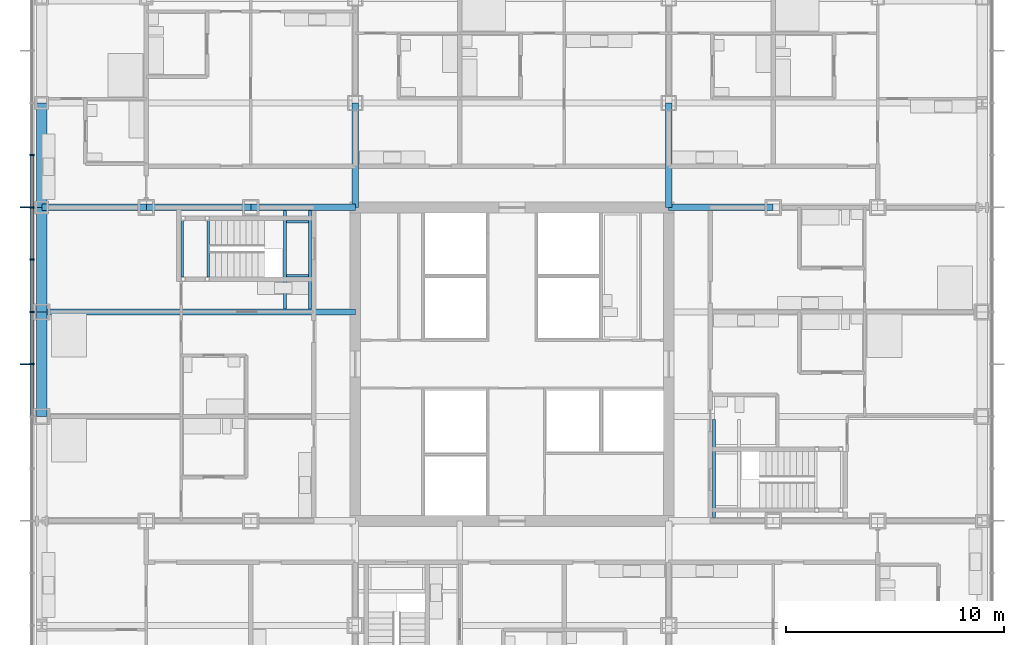
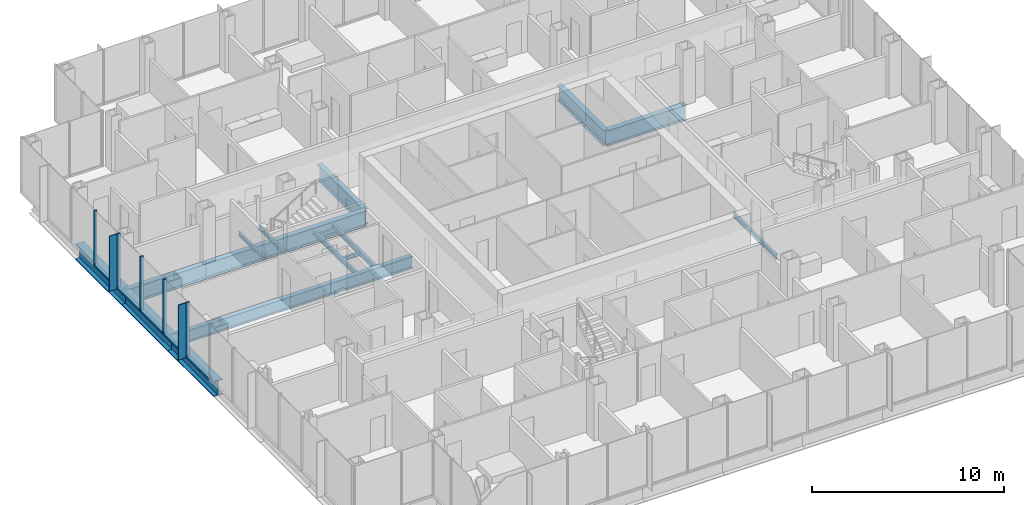
# One storey, part 8 of 21: 17 beams, 12 members, 1 element without a shape of its own.
"""IFC4 building model written with IfcOpenShell, lengths in metres."""

from ifc_helpers import new_model, si_unit, direction, frame, origin, origin_2d, place, context, subcontext, project, spatial, rectangle, i_section, extrude, material, material_profile, profile_set, type_object, element, aggregate, save


model = new_model("IFC4")

# Units and contexts
model_context = context("Model", 3, precision=1e-05, world=origin(), true_north=direction((0.0, 1.0)))
body_context = subcontext(model_context, "Body", "Model", "MODEL_VIEW")
ifc_project = project(units=[si_unit("LENGTHUNIT", "METRE"), si_unit("AREAUNIT", "SQUARE_METRE"), si_unit("VOLUMEUNIT", "CUBIC_METRE"), si_unit("PLANEANGLEUNIT", "RADIAN"), si_unit("MASSUNIT", "GRAM", prefix="KILO")], contexts=[model_context])

# Site, building, storey
site_placement = place(None, origin())
site = spatial("IfcSite", under=ifc_project, at=site_placement, CompositionType="ELEMENT")
building_placement = place(site_placement, origin())
building = spatial("IfcBuilding", under=site, at=building_placement, Name="Kvirike Care Tower", CompositionType="ELEMENT")
storey_placement = place(building_placement, frame((0.0, 0.0, 27.0)))
storey = spatial("IfcBuildingStorey", under=building, at=storey_placement, Name="L06", CompositionType="ELEMENT", Elevation=27.0)

# Curtain wall, members
ifc_material_1 = material(Name="Anodised aluminium stick system", Category="aluminium")
curtain_wall_type = type_object("IfcCurtainWallType", Name="CW-A STICK CURTAIN WALL", PredefinedType="NOTDEFINED", material=ifc_material_1)
curtain_wall_placement = place(storey_placement, origin())
curtain_wall = element("IfcCurtainWall", 1, at=curtain_wall_placement, inside=storey, type_object=curtain_wall_type, Name="Curtain wall L06 face 1", PredefinedType="NOTDEFINED")
ifc_material_2 = material(Name="Bronze anodised aluminium fin", Category="aluminium")
ifc_material_profile_1 = material_profile(ifc_material_2, rectangle(XDim=0.050048828125, YDim=0.449951171875, at=origin_2d()), Name="BRONZE FIN 450")
ifc_profile_set_1 = profile_set([ifc_material_profile_1], Name="Bronze anodised aluminium fin")
member_type_1 = type_object("IfcMemberType", Name="BRONZE FIN 450", PredefinedType="USERDEFINED", material=ifc_profile_set_1)
member_1_placement = place(storey_placement, frame((-0.77490234375, 43.199951171875, 0.0), z_axis=(0.0, 0.0, 1.0), x_axis=(0.0, -1.0, 0.0)))
member_1 = element("IfcMember", 2, at=member_1_placement, type_object=member_type_1, Name="Bronze fin L06 face 1.5", ObjectType="FIN", PredefinedType="USERDEFINED", context=body_context, shape_type="SweptSolid", body=[
    extrude(rectangle(XDim=0.050048828125, YDim=0.449951171875, at=origin_2d()), origin(), (0.0, 0.0, 1.0), 3.5),
])
member_2_placement = place(storey_placement, frame((-0.77490234375, 36.0, 0.0), z_axis=(0.0, 0.0, 1.0), x_axis=(0.0, -1.0, 0.0)))
member_2 = element("IfcMember", 3, at=member_2_placement, type_object=member_type_1, Name="Bronze fin L06 face 1.8", ObjectType="FIN", PredefinedType="USERDEFINED", context=body_context, shape_type="SweptSolid", body=[
    extrude(rectangle(XDim=0.050048828125, YDim=0.449951171875, at=origin_2d()), origin(), (0.0, 0.0, 1.0), 3.5),
])
ifc_material_3 = material(Name="Bronze anodised aluminium mullion", Category="aluminium")
ifc_material_profile_2 = material_profile(ifc_material_3, rectangle(XDim=0.06494140625, YDim=0.199951171875, at=origin_2d()), Name="CW-A MULLION 65x200")
ifc_profile_set_2 = profile_set([ifc_material_profile_2], Name="Bronze anodised aluminium mullion")
member_type_2 = type_object("IfcMemberType", Name="CW-A MULLION 65x200", PredefinedType="MULLION", material=ifc_profile_set_2)
member_3_placement = place(storey_placement, frame((-0.449951171875, 45.60009765625, 0.0), z_axis=(0.0, 0.0, 1.0), x_axis=(0.0, -1.0, 0.0)))
member_3 = element("IfcMember", 4, at=member_3_placement, type_object=member_type_2, Name="CW-A mullion L06 face 1.4", PredefinedType="MULLION", context=body_context, shape_type="SweptSolid", body=[
    extrude(rectangle(XDim=0.06494140625, YDim=0.199951171875, at=origin_2d()), origin(), (0.0, 0.0, 1.0), 3.5),
])
member_4_placement = place(storey_placement, frame((-0.449951171875, 43.199951171875, 0.0), z_axis=(0.0, 0.0, 1.0), x_axis=(0.0, -1.0, 0.0)))
member_4 = element("IfcMember", 5, at=member_4_placement, type_object=member_type_2, Name="CW-A mullion L06 face 1.5", PredefinedType="MULLION", context=body_context, shape_type="SweptSolid", body=[
    extrude(rectangle(XDim=0.06494140625, YDim=0.199951171875, at=origin_2d()), origin(), (0.0, 0.0, 1.0), 3.5),
])
member_5_placement = place(storey_placement, frame((-0.449951171875, 40.800048828125, 0.0), z_axis=(0.0, 0.0, 1.0), x_axis=(0.0, -1.0, 0.0)))
member_5 = element("IfcMember", 6, at=member_5_placement, type_object=member_type_2, Name="CW-A mullion L06 face 1.6", PredefinedType="MULLION", context=body_context, shape_type="SweptSolid", body=[
    extrude(rectangle(XDim=0.06494140625, YDim=0.199951171875, at=origin_2d()), origin(), (0.0, 0.0, 1.0), 3.5),
])
member_6_placement = place(storey_placement, frame((-0.449951171875, 38.39990234375, 0.0), z_axis=(0.0, 0.0, 1.0), x_axis=(0.0, -1.0, 0.0)))
member_6 = element("IfcMember", 7, at=member_6_placement, type_object=member_type_2, Name="CW-A mullion L06 face 1.7", PredefinedType="MULLION", context=body_context, shape_type="SweptSolid", body=[
    extrude(rectangle(XDim=0.06494140625, YDim=0.199951171875, at=origin_2d()), origin(), (0.0, 0.0, 1.0), 3.5),
])
member_7_placement = place(storey_placement, frame((-0.449951171875, 36.0, 0.0), z_axis=(0.0, 0.0, 1.0), x_axis=(0.0, -1.0, 0.0)))
member_7 = element("IfcMember", 8, at=member_7_placement, type_object=member_type_2, Name="CW-A mullion L06 face 1.8", PredefinedType="MULLION", context=body_context, shape_type="SweptSolid", body=[
    extrude(rectangle(XDim=0.06494140625, YDim=0.199951171875, at=origin_2d()), origin(), (0.0, 0.0, 1.0), 3.5),
])
ifc_material_4 = material(Name="Bronze anodised aluminium transom", Category="aluminium")
ifc_material_profile_3 = material_profile(ifc_material_4, rectangle(XDim=0.199951171875, YDim=0.10009765625, at=origin_2d()), Name="CW-A TRANSOM 200x100")
ifc_profile_set_3 = profile_set([ifc_material_profile_3], Name="Bronze anodised aluminium transom")
member_type_3 = type_object("IfcMemberType", Name="CW-A TRANSOM 200x100", PredefinedType="USERDEFINED", material=ifc_profile_set_3)
member_8_placement = place(storey_placement, frame((-0.449951171875, 45.5673828125, 0.050048828125), z_axis=(0.0, -1.0, 0.0), x_axis=(1.0, 0.0, 0.0)))
member_8 = element("IfcMember", 9, at=member_8_placement, type_object=member_type_3, Name="CW-A sill transom L06 face 1.4", ObjectType="TRANSOM", PredefinedType="USERDEFINED", context=body_context, shape_type="SweptSolid", body=[
    extrude(rectangle(XDim=0.199951171875, YDim=0.10009765625, at=origin_2d()), origin(), (0.0, 0.0, 1.0), 2.3349609375),
])
member_9_placement = place(storey_placement, frame((-0.449951171875, 43.16748046875, 0.050048828125), z_axis=(0.0, -1.0, 0.0), x_axis=(1.0, 0.0, 0.0)))
member_9 = element("IfcMember", 10, at=member_9_placement, type_object=member_type_3, Name="CW-A sill transom L06 face 1.5", ObjectType="TRANSOM", PredefinedType="USERDEFINED", context=body_context, shape_type="SweptSolid", body=[
    extrude(rectangle(XDim=0.199951171875, YDim=0.10009765625, at=origin_2d()), origin(), (0.0, 0.0, 1.0), 2.3349609375),
])
member_10_placement = place(storey_placement, frame((-0.449951171875, 40.767578125, 0.050048828125), z_axis=(0.0, -1.0, 0.0), x_axis=(1.0, 0.0, 0.0)))
member_10 = element("IfcMember", 11, at=member_10_placement, type_object=member_type_3, Name="CW-A sill transom L06 face 1.6", ObjectType="TRANSOM", PredefinedType="USERDEFINED", context=body_context, shape_type="SweptSolid", body=[
    extrude(rectangle(XDim=0.199951171875, YDim=0.10009765625, at=origin_2d()), origin(), (0.0, 0.0, 1.0), 2.3349609375),
])
member_11_placement = place(storey_placement, frame((-0.449951171875, 38.367431640625, 0.050048828125), z_axis=(0.0, -1.0, 0.0), x_axis=(1.0, 0.0, 0.0)))
member_11 = element("IfcMember", 12, at=member_11_placement, type_object=member_type_3, Name="CW-A sill transom L06 face 1.7", ObjectType="TRANSOM", PredefinedType="USERDEFINED", context=body_context, shape_type="SweptSolid", body=[
    extrude(rectangle(XDim=0.199951171875, YDim=0.10009765625, at=origin_2d()), origin(), (0.0, 0.0, 1.0), 2.3349609375),
])
member_12_placement = place(storey_placement, frame((-0.449951171875, 35.967529296875, 0.050048828125), z_axis=(0.0, -1.0, 0.0), x_axis=(1.0, 0.0, 0.0)))
member_12 = element("IfcMember", 13, at=member_12_placement, type_object=member_type_3, Name="CW-A sill transom L06 face 1.8", ObjectType="TRANSOM", PredefinedType="USERDEFINED", context=body_context, shape_type="SweptSolid", body=[
    extrude(rectangle(XDim=0.199951171875, YDim=0.10009765625, at=origin_2d()), origin(), (0.0, 0.0, 1.0), 2.3349609375),
])
aggregate(curtain_wall, [member_3, member_4, member_1, member_5, member_6, member_7, member_2, member_8, member_9, member_10, member_11, member_12])

# Beams
ifc_material_5 = material(Name="Steel S355", Category="steel")
ifc_material_profile_4 = material_profile(ifc_material_5, i_section(OverallWidth=0.26806640625, OverallDepth=0.77001953125, WebThickness=0.015625, FlangeThickness=0.025390625, FilletRadius=0.01708984375, at=origin_2d()), Name="IPE 750x196")
ifc_profile_set_4 = profile_set([ifc_material_profile_4], Name="Steel S355")
beam_type_1 = type_object("IfcBeamType", Name="FLOOR BEAM IPE 750x196", PredefinedType="BEAM", material=ifc_profile_set_4)
beam_1_placement = place(storey_placement, frame((0.0, 38.39990234375, -0.554931640625), z_axis=(1.0, 0.0, 0.0), x_axis=(0.0, 1.0, 0.0)))
element("IfcBeam", 14, at=beam_1_placement, inside=storey, type_object=beam_type_1, Name="Floor Beam J3-J6 L06", PredefinedType="BEAM", context=body_context, shape_type="SweptSolid", body=[
    extrude(i_section(OverallWidth=0.26806640625, OverallDepth=0.77001953125, WebThickness=0.015625, FlangeThickness=0.025390625, FilletRadius=0.01708984375, at=origin_2d()), origin(), (0.0, 0.0, 1.0), 14.39990234375),
])
ifc_material_6 = material(Name="Steel S355", Category="steel")
ifc_material_profile_5 = material_profile(ifc_material_6, i_section(OverallWidth=0.300048828125, OverallDepth=1.0, WebThickness=0.01904296875, FlangeThickness=0.035888671875, FilletRadius=0.030029296875, at=origin_2d()), Name="HE 1000 B")
ifc_profile_set_5 = profile_set([ifc_material_profile_5], Name="Steel S355")
beam_type_2 = type_object("IfcBeamType", Name="FRAME BEAM HE 1000 B", PredefinedType="BEAM", material=ifc_profile_set_5)
for number, where, z_axis, x_axis, name in (
    (15, (0.0, 43.199951171875, -0.669921875), (1.0, 0.0, 0.0), (0.0, 1.0, 0.0), "Frame Beam K3-K4 L06"),
    (16, (4.800048828125, 43.199951171875, -0.669921875), (1.0, 0.0, 0.0), (0.0, 1.0, 0.0), "Frame Beam K4-K5 L06"),
):
    element("IfcBeam", number, at=place(storey_placement, frame(where, z_axis=z_axis, x_axis=x_axis)), inside=storey, type_object=beam_type_2, Name=name, PredefinedType="BEAM", context=body_context, shape_type="SweptSolid", body=[
        extrude(i_section(OverallWidth=0.300048828125, OverallDepth=1.0, WebThickness=0.01904296875, FlangeThickness=0.035888671875, FilletRadius=0.030029296875, at=origin_2d()), origin(), (0.0, 0.0, 1.0), 4.800048828125),
    ])
beam_2_placement = place(storey_placement, frame((9.60009765625, 43.199951171875, -0.669921875), z_axis=(1.0, 0.0, 0.0), x_axis=(0.0, 1.0, 0.0)))
element("IfcBeam", 17, at=beam_2_placement, inside=storey, type_object=beam_type_2, Name="Frame Beam K5-K6 L06", PredefinedType="BEAM", context=body_context, shape_type="SweptSolid", body=[
    extrude(i_section(OverallWidth=0.300048828125, OverallDepth=1.0, WebThickness=0.01904296875, FlangeThickness=0.035888671875, FilletRadius=0.030029296875, at=origin_2d()), origin(), (0.0, 0.0, 1.0), 4.7998046875),
])
for number, where, z_axis, x_axis, name in (
    (18, (28.800048828125, 43.199951171875, -0.669921875), (1.0, 0.0, 0.0), (0.0, 1.0, 0.0), "Frame Beam K9-K10 L06"),
    (19, (14.39990234375, 43.199951171875, -0.669921875), (0.0, 1.0, 0.0), (-1.0, 0.0, 0.0), "Frame Beam K6-L6 L06"),
    (20, (28.800048828125, 43.199951171875, -0.669921875), (0.0, 1.0, 0.0), (-1.0, 0.0, 0.0), "Frame Beam K9-L9 L06"),
):
    element("IfcBeam", number, at=place(storey_placement, frame(where, z_axis=z_axis, x_axis=x_axis)), inside=storey, type_object=beam_type_2, Name=name, PredefinedType="BEAM", context=body_context, shape_type="SweptSolid", body=[
        extrude(i_section(OverallWidth=0.300048828125, OverallDepth=1.0, WebThickness=0.01904296875, FlangeThickness=0.035888671875, FilletRadius=0.030029296875, at=origin_2d()), origin(), (0.0, 0.0, 1.0), 4.800048828125),
    ])
ifc_material_7 = material(Name="Steel S355", Category="steel")
ifc_material_profile_6 = material_profile(ifc_material_7, i_section(OverallWidth=0.5, OverallDepth=1.0, WebThickness=0.030029296875, FlangeThickness=0.06005859375, at=origin_2d()), Name="PG 1000x500x30x60")
ifc_profile_set_6 = profile_set([ifc_material_profile_6], Name="Steel S355")
beam_type_3 = type_object("IfcBeamType", Name="SPANDREL PG 1000x500x30x60", PredefinedType="SPANDREL", material=ifc_profile_set_6)
beam_3_placement = place(storey_placement, frame((0.0, 33.60009765625, -0.669921875), z_axis=(0.0, 1.0, 0.0), x_axis=(-1.0, 0.0, 0.0)))
element("IfcBeam", 21, at=beam_3_placement, inside=storey, type_object=beam_type_3, Name="Spandrel H3-J3 L06", PredefinedType="SPANDREL", context=body_context, shape_type="SweptSolid", body=[
    extrude(i_section(OverallWidth=0.5, OverallDepth=1.0, WebThickness=0.030029296875, FlangeThickness=0.06005859375, at=origin_2d()), origin(), (0.0, 0.0, 1.0), 4.7998046875),
])
for number, where, z_axis, x_axis, name in (
    (22, (0.0, 38.39990234375, -0.669921875), (0.0, 1.0, 0.0), (-1.0, 0.0, 0.0), "Spandrel J3-K3 L06"),
    (23, (0.0, 43.199951171875, -0.669921875), (0.0, 1.0, 0.0), (-1.0, 0.0, 0.0), "Spandrel K3-L3 L06"),
):
    element("IfcBeam", number, at=place(storey_placement, frame(where, z_axis=z_axis, x_axis=x_axis)), inside=storey, type_object=beam_type_3, Name=name, PredefinedType="SPANDREL", context=body_context, shape_type="SweptSolid", body=[
        extrude(i_section(OverallWidth=0.5, OverallDepth=1.0, WebThickness=0.030029296875, FlangeThickness=0.06005859375, at=origin_2d()), origin(), (0.0, 0.0, 1.0), 4.800048828125),
    ])
ifc_material_8 = material(Name="Steel S355", Category="steel")
ifc_material_profile_7 = material_profile(ifc_material_8, i_section(OverallWidth=0.1201171875, OverallDepth=0.239990234375, WebThickness=0.006103515625, FlangeThickness=0.009765625, FilletRadius=0.014892578125, at=origin_2d()), Name="IPE 240")
ifc_profile_set_7 = profile_set([ifc_material_profile_7], Name="Steel S355")
beam_type_4 = type_object("IfcBeamType", Name="STAIR LANDING BEAM IPE 240", PredefinedType="BEAM", material=ifc_profile_set_7)
for number, where, z_axis, x_axis, name in (
    (24, (6.4599609375, 42.60009765625, 1.429931640625), (0.0, -1.0, 0.0), (1.0, 0.0, 0.0), "Stair 1 landing beam back L06"),
    (25, (7.639892578125, 42.60009765625, 1.429931640625), (0.0, -1.0, 0.0), (1.0, 0.0, 0.0), "Stair 1 landing beam front L06"),
):
    element("IfcBeam", number, at=place(storey_placement, frame(where, z_axis=z_axis, x_axis=x_axis)), inside=storey, type_object=beam_type_4, Name=name, PredefinedType="BEAM", context=body_context, shape_type="SweptSolid", body=[
        extrude(i_section(OverallWidth=0.1201171875, OverallDepth=0.239990234375, WebThickness=0.006103515625, FlangeThickness=0.009765625, FilletRadius=0.014892578125, at=origin_2d()), origin(), (0.0, 0.0, 1.0), 2.60009765625),
    ])
for number, where, z_axis, x_axis, name in (
    (26, (11.25, 42.5400390625, -0.320068359375), (1.0, 0.0, 0.0), (0.0, 1.0, 0.0), "Stair 1 landing edge beam 1 L06"),
    (27, (11.25, 40.06005859375, -0.320068359375), (1.0, 0.0, 0.0), (0.0, 1.0, 0.0), "Stair 1 landing edge beam 2 L06"),
):
    element("IfcBeam", number, at=place(storey_placement, frame(where, z_axis=z_axis, x_axis=x_axis)), inside=storey, type_object=beam_type_4, Name=name, PredefinedType="BEAM", context=body_context, shape_type="SweptSolid", body=[
        extrude(i_section(OverallWidth=0.1201171875, OverallDepth=0.239990234375, WebThickness=0.006103515625, FlangeThickness=0.009765625, FilletRadius=0.014892578125, at=origin_2d()), origin(), (0.0, 0.0, 1.0), 1.0),
    ])
ifc_material_9 = material(Name="Steel S355", Category="steel")
ifc_material_profile_8 = material_profile(ifc_material_9, i_section(OverallWidth=0.14990234375, OverallDepth=0.300048828125, WebThickness=0.007080078125, FlangeThickness=0.0107421875, FilletRadius=0.014892578125, at=origin_2d()), Name="IPE 300")
ifc_profile_set_8 = profile_set([ifc_material_profile_8], Name="Steel S355")
beam_type_5 = type_object("IfcBeamType", Name="STAIR TRIMMER IPE 300", PredefinedType="BEAM", material=ifc_profile_set_8)
for number, where, z_axis, x_axis, name in (
    (28, (11.175048828125, 43.050048828125, -0.35009765625), (0.0, -1.0, 0.0), (1.0, 0.0, 0.0), "Stair 1 trimmer 1 L06"),
    (29, (12.324951171875, 43.050048828125, -0.35009765625), (0.0, -1.0, 0.0), (1.0, 0.0, 0.0), "Stair 1 trimmer 2 L06"),
    (30, (30.875, 28.949951171875, -0.35009765625), (0.0, 1.0, 0.0), (-1.0, 0.0, 0.0), "Stair 2 trimmer 2 L06"),
):
    element("IfcBeam", number, at=place(storey_placement, frame(where, z_axis=z_axis, x_axis=x_axis)), inside=storey, type_object=beam_type_5, Name=name, PredefinedType="BEAM", context=body_context, shape_type="SweptSolid", body=[
        extrude(i_section(OverallWidth=0.14990234375, OverallDepth=0.300048828125, WebThickness=0.007080078125, FlangeThickness=0.0107421875, FilletRadius=0.014892578125, at=origin_2d()), origin(), (0.0, 0.0, 1.0), 4.51611328125),
    ])

save(model, "model.ifc")
